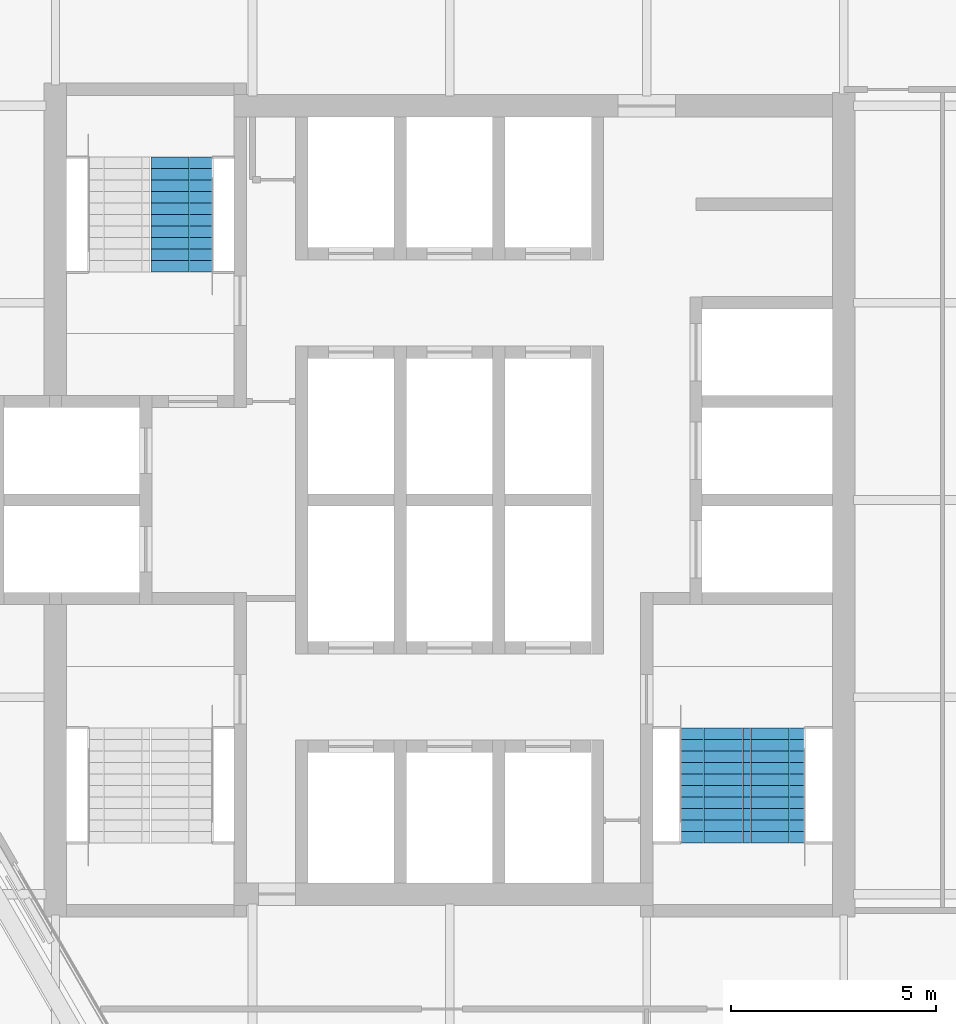
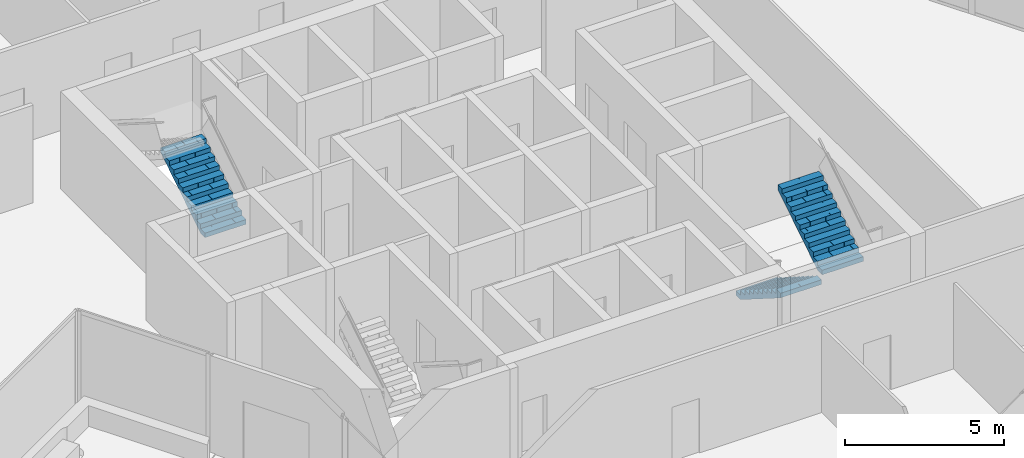
# One storey, part 13 of 15: 3 stair flights, 2 elements without a shape of their own.
"""IFC4 building model written with IfcOpenShell, lengths in metres."""

from ifc_helpers import new_model, si_unit, direction, frame, origin, place, context, subcontext, project, spatial, polyline, outline, extrude, material, type_object, element, aggregate, save


model = new_model("IFC4")

# Units and contexts
model_context = context("Model", 3, precision=1e-05, world=origin(), true_north=direction((0.0, 1.0)))
body_context = subcontext(model_context, "Body", "Model", "MODEL_VIEW")
ifc_project = project(units=[si_unit("LENGTHUNIT", "METRE"), si_unit("AREAUNIT", "SQUARE_METRE"), si_unit("VOLUMEUNIT", "CUBIC_METRE"), si_unit("PLANEANGLEUNIT", "RADIAN"), si_unit("MASSUNIT", "GRAM", prefix="KILO")], contexts=[model_context])

# Site, building, storey
site_placement = place(None, origin())
site = spatial("IfcSite", under=ifc_project, at=site_placement, CompositionType="ELEMENT")
building_placement = place(site_placement, origin())
building = spatial("IfcBuilding", under=site, at=building_placement, Name="Kolab Exchange Tower", CompositionType="ELEMENT")
storey_placement = place(building_placement, frame((0.0, 0.0, 238.39990234375)))
storey = spatial("IfcBuildingStorey", under=building, at=storey_placement, Name="L52", CompositionType="ELEMENT", Elevation=238.39990234375)

# Stair, stair flight
ifc_material = material(Name="Concrete C50/60", Category="concrete")
stair_type_1 = type_object("IfcStairType", Name="STAIR ST1 RISER 177.3", PredefinedType="HALF_TURN_STAIR", material=ifc_material)
stair_1_placement = place(storey_placement, origin())
stair_1 = element("IfcStair", 1, at=stair_1_placement, inside=storey, type_object=stair_type_1, Name="Stair 1", PredefinedType="HALF_TURN_STAIR")
stair_flight_type = type_object("IfcStairFlightType", Name="STAIR FLIGHT 1500 RISER 177.3", PredefinedType="STRAIGHT", material=ifc_material)
stair_flight_1_placement = place(storey_placement, frame((-6.527587890625, 5.550048828125, 0.0), z_axis=(0.0, 0.0, 1.0), x_axis=(0.0, 1.0, 0.0)))
stair_flight_1 = element("IfcStairFlight", 2, at=stair_flight_1_placement, type_object=stair_flight_type, Name="ST1 flight 1", NumberOfRisers=11, NumberOfTreads=10, PredefinedType="STRAIGHT", RiserHeight=0.177272727, TreadLength=0.28, context=body_context, shape_type="SweptSolid", body=[
    extrude(outline(polyline([(0.0, 0.0), (0.0, 0.17724609375), (0.280029296875, 0.17724609375), (0.280029296875, 0.3544921875), (0.56005859375, 0.3544921875), (0.56005859375, 0.53173828125), (0.840087890625, 0.53173828125), (0.840087890625, 0.708984375), (1.1201171875, 0.708984375), (1.1201171875, 0.886474609375), (1.39990234375, 0.886474609375), (1.39990234375, 1.063720703125), (1.679931640625, 1.063720703125), (1.679931640625, 1.240966796875), (1.9599609375, 1.240966796875), (1.9599609375, 1.418212890625), (2.239990234375, 1.418212890625), (2.239990234375, 1.595458984375), (2.52001953125, 1.595458984375), (2.52001953125, 1.772705078125), (2.800048828125, 1.772705078125), (2.800048828125, 1.949951171875), (2.800048828125, 1.59521484375), (0.2802734375, 0.0), (0.0, 0.0)])), frame((0.0, 0.75, 0.0), z_axis=(0.0, -1.0, 0.0), x_axis=(1.0, 0.0, 0.0)), (0.0, 0.0, 1.0), 0.185791015625),
    extrude(outline(polyline([(0.0, 0.0), (0.0, 0.17724609375), (0.280029296875, 0.17724609375), (0.280029296875, 0.3544921875), (0.56005859375, 0.3544921875), (0.56005859375, 0.53173828125), (0.840087890625, 0.53173828125), (0.840087890625, 0.708984375), (1.1201171875, 0.708984375), (1.1201171875, 0.886474609375), (1.39990234375, 0.886474609375), (1.39990234375, 1.063720703125), (1.679931640625, 1.063720703125), (1.679931640625, 1.240966796875), (1.9599609375, 1.240966796875), (1.9599609375, 1.418212890625), (2.239990234375, 1.418212890625), (2.239990234375, 1.595458984375), (2.52001953125, 1.595458984375), (2.52001953125, 1.772705078125), (2.800048828125, 1.772705078125), (2.800048828125, 1.949951171875), (2.800048828125, 1.59521484375), (0.2802734375, 0.0), (0.0, 0.0)])), frame((0.0, 0.562255859375, 0.0), z_axis=(0.0, -1.0, 0.0), x_axis=(1.0, 0.0, 0.0)), (0.0, 0.0, 1.0), 0.185791015625),
    extrude(outline(polyline([(0.0, 0.0), (0.0, 0.17724609375), (0.280029296875, 0.17724609375), (0.280029296875, 0.3544921875), (0.56005859375, 0.3544921875), (0.56005859375, 0.53173828125), (0.840087890625, 0.53173828125), (0.840087890625, 0.708984375), (1.1201171875, 0.708984375), (1.1201171875, 0.886474609375), (1.39990234375, 0.886474609375), (1.39990234375, 1.063720703125), (1.679931640625, 1.063720703125), (1.679931640625, 1.240966796875), (1.9599609375, 1.240966796875), (1.9599609375, 1.418212890625), (2.239990234375, 1.418212890625), (2.239990234375, 1.595458984375), (2.52001953125, 1.595458984375), (2.52001953125, 1.772705078125), (2.800048828125, 1.772705078125), (2.800048828125, 1.949951171875), (2.800048828125, 1.59521484375), (0.2802734375, 0.0), (0.0, 0.0)])), frame((0.0, 0.37451171875, 0.0), z_axis=(0.0, -1.0, 0.0), x_axis=(1.0, 0.0, 0.0)), (0.0, 0.0, 1.0), 0.185791015625),
    extrude(outline(polyline([(0.0, 0.0), (0.0, 0.17724609375), (0.280029296875, 0.17724609375), (0.280029296875, 0.3544921875), (0.56005859375, 0.3544921875), (0.56005859375, 0.53173828125), (0.840087890625, 0.53173828125), (0.840087890625, 0.708984375), (1.1201171875, 0.708984375), (1.1201171875, 0.886474609375), (1.39990234375, 0.886474609375), (1.39990234375, 1.063720703125), (1.679931640625, 1.063720703125), (1.679931640625, 1.240966796875), (1.9599609375, 1.240966796875), (1.9599609375, 1.418212890625), (2.239990234375, 1.418212890625), (2.239990234375, 1.595458984375), (2.52001953125, 1.595458984375), (2.52001953125, 1.772705078125), (2.800048828125, 1.772705078125), (2.800048828125, 1.949951171875), (2.800048828125, 1.59521484375), (0.2802734375, 0.0), (0.0, 0.0)])), frame((0.0, 0.186767578125, 0.0), z_axis=(0.0, -1.0, 0.0), x_axis=(1.0, 0.0, 0.0)), (0.0, 0.0, 1.0), 0.185791015625),
    extrude(outline(polyline([(0.0, 0.0), (0.0, 0.17724609375), (0.280029296875, 0.17724609375), (0.280029296875, 0.3544921875), (0.56005859375, 0.3544921875), (0.56005859375, 0.53173828125), (0.840087890625, 0.53173828125), (0.840087890625, 0.708984375), (1.1201171875, 0.708984375), (1.1201171875, 0.886474609375), (1.39990234375, 0.886474609375), (1.39990234375, 1.063720703125), (1.679931640625, 1.063720703125), (1.679931640625, 1.240966796875), (1.9599609375, 1.240966796875), (1.9599609375, 1.418212890625), (2.239990234375, 1.418212890625), (2.239990234375, 1.595458984375), (2.52001953125, 1.595458984375), (2.52001953125, 1.772705078125), (2.800048828125, 1.772705078125), (2.800048828125, 1.949951171875), (2.800048828125, 1.59521484375), (0.2802734375, 0.0), (0.0, 0.0)])), frame((0.0, -0.0009765625, 0.0), z_axis=(0.0, -1.0, 0.0), x_axis=(1.0, 0.0, 0.0)), (0.0, 0.0, 1.0), 0.185791015625),
    extrude(outline(polyline([(0.0, 0.0), (0.0, 0.17724609375), (0.280029296875, 0.17724609375), (0.280029296875, 0.3544921875), (0.56005859375, 0.3544921875), (0.56005859375, 0.53173828125), (0.840087890625, 0.53173828125), (0.840087890625, 0.708984375), (1.1201171875, 0.708984375), (1.1201171875, 0.886474609375), (1.39990234375, 0.886474609375), (1.39990234375, 1.063720703125), (1.679931640625, 1.063720703125), (1.679931640625, 1.240966796875), (1.9599609375, 1.240966796875), (1.9599609375, 1.418212890625), (2.239990234375, 1.418212890625), (2.239990234375, 1.595458984375), (2.52001953125, 1.595458984375), (2.52001953125, 1.772705078125), (2.800048828125, 1.772705078125), (2.800048828125, 1.949951171875), (2.800048828125, 1.59521484375), (0.2802734375, 0.0), (0.0, 0.0)])), frame((0.0, -0.188720703125, 0.0), z_axis=(0.0, -1.0, 0.0), x_axis=(1.0, 0.0, 0.0)), (0.0, 0.0, 1.0), 0.185791015625),
    extrude(outline(polyline([(0.0, 0.0), (0.0, 0.17724609375), (0.280029296875, 0.17724609375), (0.280029296875, 0.3544921875), (0.56005859375, 0.3544921875), (0.56005859375, 0.53173828125), (0.840087890625, 0.53173828125), (0.840087890625, 0.708984375), (1.1201171875, 0.708984375), (1.1201171875, 0.886474609375), (1.39990234375, 0.886474609375), (1.39990234375, 1.063720703125), (1.679931640625, 1.063720703125), (1.679931640625, 1.240966796875), (1.9599609375, 1.240966796875), (1.9599609375, 1.418212890625), (2.239990234375, 1.418212890625), (2.239990234375, 1.595458984375), (2.52001953125, 1.595458984375), (2.52001953125, 1.772705078125), (2.800048828125, 1.772705078125), (2.800048828125, 1.949951171875), (2.800048828125, 1.59521484375), (0.2802734375, 0.0), (0.0, 0.0)])), frame((0.0, -0.37646484375, 0.0), z_axis=(0.0, -1.0, 0.0), x_axis=(1.0, 0.0, 0.0)), (0.0, 0.0, 1.0), 0.185791015625),
    extrude(outline(polyline([(0.0, 0.0), (0.0, 0.17724609375), (0.280029296875, 0.17724609375), (0.280029296875, 0.3544921875), (0.56005859375, 0.3544921875), (0.56005859375, 0.53173828125), (0.840087890625, 0.53173828125), (0.840087890625, 0.708984375), (1.1201171875, 0.708984375), (1.1201171875, 0.886474609375), (1.39990234375, 0.886474609375), (1.39990234375, 1.063720703125), (1.679931640625, 1.063720703125), (1.679931640625, 1.240966796875), (1.9599609375, 1.240966796875), (1.9599609375, 1.418212890625), (2.239990234375, 1.418212890625), (2.239990234375, 1.595458984375), (2.52001953125, 1.595458984375), (2.52001953125, 1.772705078125), (2.800048828125, 1.772705078125), (2.800048828125, 1.949951171875), (2.800048828125, 1.59521484375), (0.2802734375, 0.0), (0.0, 0.0)])), frame((0.0, -0.564208984375, 0.0), z_axis=(0.0, -1.0, 0.0), x_axis=(1.0, 0.0, 0.0)), (0.0, 0.0, 1.0), 0.185791015625),
])
aggregate(stair_1, [stair_flight_1])

# Stair, stair flights
stair_type_2 = type_object("IfcStairType", Name="STAIR ST2 RISER 177.3", PredefinedType="HALF_TURN_STAIR", material=ifc_material)
stair_2_placement = place(storey_placement, origin())
stair_2 = element("IfcStair", 3, at=stair_2_placement, inside=storey, type_object=stair_type_2, Name="Stair 2", PredefinedType="HALF_TURN_STAIR")
stair_flight_2_placement = place(storey_placement, frame((6.37744140625, -5.550048828125, 0.0), z_axis=(0.0, 0.0, 1.0), x_axis=(0.0, -1.0, 0.0)))
stair_flight_2 = element("IfcStairFlight", 4, at=stair_flight_2_placement, type_object=stair_flight_type, Name="ST2 flight 1", NumberOfRisers=11, NumberOfTreads=10, PredefinedType="STRAIGHT", RiserHeight=0.177272727, TreadLength=0.28, context=body_context, shape_type="SweptSolid", body=[
    extrude(outline(polyline([(0.0, 0.0), (0.0, 0.17724609375), (0.280029296875, 0.17724609375), (0.280029296875, 0.3544921875), (0.56005859375, 0.3544921875), (0.56005859375, 0.53173828125), (0.840087890625, 0.53173828125), (0.840087890625, 0.708984375), (1.1201171875, 0.708984375), (1.1201171875, 0.886474609375), (1.39990234375, 0.886474609375), (1.39990234375, 1.063720703125), (1.679931640625, 1.063720703125), (1.679931640625, 1.240966796875), (1.9599609375, 1.240966796875), (1.9599609375, 1.418212890625), (2.239990234375, 1.418212890625), (2.239990234375, 1.595458984375), (2.52001953125, 1.595458984375), (2.52001953125, 1.772705078125), (2.800048828125, 1.772705078125), (2.800048828125, 1.949951171875), (2.800048828125, 1.59521484375), (0.2802734375, 0.0), (0.0, 0.0)])), frame((0.0, 0.75, 0.0), z_axis=(0.0, -1.0, 0.0), x_axis=(1.0, 0.0, 0.0)), (0.0, 0.0, 1.0), 0.185791015625),
    extrude(outline(polyline([(0.0, 0.0), (0.0, 0.17724609375), (0.280029296875, 0.17724609375), (0.280029296875, 0.3544921875), (0.56005859375, 0.3544921875), (0.56005859375, 0.53173828125), (0.840087890625, 0.53173828125), (0.840087890625, 0.708984375), (1.1201171875, 0.708984375), (1.1201171875, 0.886474609375), (1.39990234375, 0.886474609375), (1.39990234375, 1.063720703125), (1.679931640625, 1.063720703125), (1.679931640625, 1.240966796875), (1.9599609375, 1.240966796875), (1.9599609375, 1.418212890625), (2.239990234375, 1.418212890625), (2.239990234375, 1.595458984375), (2.52001953125, 1.595458984375), (2.52001953125, 1.772705078125), (2.800048828125, 1.772705078125), (2.800048828125, 1.949951171875), (2.800048828125, 1.59521484375), (0.2802734375, 0.0), (0.0, 0.0)])), frame((0.0, 0.562255859375, 0.0), z_axis=(0.0, -1.0, 0.0), x_axis=(1.0, 0.0, 0.0)), (0.0, 0.0, 1.0), 0.185791015625),
    extrude(outline(polyline([(0.0, 0.0), (0.0, 0.17724609375), (0.280029296875, 0.17724609375), (0.280029296875, 0.3544921875), (0.56005859375, 0.3544921875), (0.56005859375, 0.53173828125), (0.840087890625, 0.53173828125), (0.840087890625, 0.708984375), (1.1201171875, 0.708984375), (1.1201171875, 0.886474609375), (1.39990234375, 0.886474609375), (1.39990234375, 1.063720703125), (1.679931640625, 1.063720703125), (1.679931640625, 1.240966796875), (1.9599609375, 1.240966796875), (1.9599609375, 1.418212890625), (2.239990234375, 1.418212890625), (2.239990234375, 1.595458984375), (2.52001953125, 1.595458984375), (2.52001953125, 1.772705078125), (2.800048828125, 1.772705078125), (2.800048828125, 1.949951171875), (2.800048828125, 1.59521484375), (0.2802734375, 0.0), (0.0, 0.0)])), frame((0.0, 0.37451171875, 0.0), z_axis=(0.0, -1.0, 0.0), x_axis=(1.0, 0.0, 0.0)), (0.0, 0.0, 1.0), 0.185791015625),
    extrude(outline(polyline([(0.0, 0.0), (0.0, 0.17724609375), (0.280029296875, 0.17724609375), (0.280029296875, 0.3544921875), (0.56005859375, 0.3544921875), (0.56005859375, 0.53173828125), (0.840087890625, 0.53173828125), (0.840087890625, 0.708984375), (1.1201171875, 0.708984375), (1.1201171875, 0.886474609375), (1.39990234375, 0.886474609375), (1.39990234375, 1.063720703125), (1.679931640625, 1.063720703125), (1.679931640625, 1.240966796875), (1.9599609375, 1.240966796875), (1.9599609375, 1.418212890625), (2.239990234375, 1.418212890625), (2.239990234375, 1.595458984375), (2.52001953125, 1.595458984375), (2.52001953125, 1.772705078125), (2.800048828125, 1.772705078125), (2.800048828125, 1.949951171875), (2.800048828125, 1.59521484375), (0.2802734375, 0.0), (0.0, 0.0)])), frame((0.0, 0.186767578125, 0.0), z_axis=(0.0, -1.0, 0.0), x_axis=(1.0, 0.0, 0.0)), (0.0, 0.0, 1.0), 0.185791015625),
    extrude(outline(polyline([(0.0, 0.0), (0.0, 0.17724609375), (0.280029296875, 0.17724609375), (0.280029296875, 0.3544921875), (0.56005859375, 0.3544921875), (0.56005859375, 0.53173828125), (0.840087890625, 0.53173828125), (0.840087890625, 0.708984375), (1.1201171875, 0.708984375), (1.1201171875, 0.886474609375), (1.39990234375, 0.886474609375), (1.39990234375, 1.063720703125), (1.679931640625, 1.063720703125), (1.679931640625, 1.240966796875), (1.9599609375, 1.240966796875), (1.9599609375, 1.418212890625), (2.239990234375, 1.418212890625), (2.239990234375, 1.595458984375), (2.52001953125, 1.595458984375), (2.52001953125, 1.772705078125), (2.800048828125, 1.772705078125), (2.800048828125, 1.949951171875), (2.800048828125, 1.59521484375), (0.2802734375, 0.0), (0.0, 0.0)])), frame((0.0, -0.0009765625, 0.0), z_axis=(0.0, -1.0, 0.0), x_axis=(1.0, 0.0, 0.0)), (0.0, 0.0, 1.0), 0.185791015625),
    extrude(outline(polyline([(0.0, 0.0), (0.0, 0.17724609375), (0.280029296875, 0.17724609375), (0.280029296875, 0.3544921875), (0.56005859375, 0.3544921875), (0.56005859375, 0.53173828125), (0.840087890625, 0.53173828125), (0.840087890625, 0.708984375), (1.1201171875, 0.708984375), (1.1201171875, 0.886474609375), (1.39990234375, 0.886474609375), (1.39990234375, 1.063720703125), (1.679931640625, 1.063720703125), (1.679931640625, 1.240966796875), (1.9599609375, 1.240966796875), (1.9599609375, 1.418212890625), (2.239990234375, 1.418212890625), (2.239990234375, 1.595458984375), (2.52001953125, 1.595458984375), (2.52001953125, 1.772705078125), (2.800048828125, 1.772705078125), (2.800048828125, 1.949951171875), (2.800048828125, 1.59521484375), (0.2802734375, 0.0), (0.0, 0.0)])), frame((0.0, -0.188720703125, 0.0), z_axis=(0.0, -1.0, 0.0), x_axis=(1.0, 0.0, 0.0)), (0.0, 0.0, 1.0), 0.185791015625),
    extrude(outline(polyline([(0.0, 0.0), (0.0, 0.17724609375), (0.280029296875, 0.17724609375), (0.280029296875, 0.3544921875), (0.56005859375, 0.3544921875), (0.56005859375, 0.53173828125), (0.840087890625, 0.53173828125), (0.840087890625, 0.708984375), (1.1201171875, 0.708984375), (1.1201171875, 0.886474609375), (1.39990234375, 0.886474609375), (1.39990234375, 1.063720703125), (1.679931640625, 1.063720703125), (1.679931640625, 1.240966796875), (1.9599609375, 1.240966796875), (1.9599609375, 1.418212890625), (2.239990234375, 1.418212890625), (2.239990234375, 1.595458984375), (2.52001953125, 1.595458984375), (2.52001953125, 1.772705078125), (2.800048828125, 1.772705078125), (2.800048828125, 1.949951171875), (2.800048828125, 1.59521484375), (0.2802734375, 0.0), (0.0, 0.0)])), frame((0.0, -0.37646484375, 0.0), z_axis=(0.0, -1.0, 0.0), x_axis=(1.0, 0.0, 0.0)), (0.0, 0.0, 1.0), 0.185791015625),
    extrude(outline(polyline([(0.0, 0.0), (0.0, 0.17724609375), (0.280029296875, 0.17724609375), (0.280029296875, 0.3544921875), (0.56005859375, 0.3544921875), (0.56005859375, 0.53173828125), (0.840087890625, 0.53173828125), (0.840087890625, 0.708984375), (1.1201171875, 0.708984375), (1.1201171875, 0.886474609375), (1.39990234375, 0.886474609375), (1.39990234375, 1.063720703125), (1.679931640625, 1.063720703125), (1.679931640625, 1.240966796875), (1.9599609375, 1.240966796875), (1.9599609375, 1.418212890625), (2.239990234375, 1.418212890625), (2.239990234375, 1.595458984375), (2.52001953125, 1.595458984375), (2.52001953125, 1.772705078125), (2.800048828125, 1.772705078125), (2.800048828125, 1.949951171875), (2.800048828125, 1.59521484375), (0.2802734375, 0.0), (0.0, 0.0)])), frame((0.0, -0.564208984375, 0.0), z_axis=(0.0, -1.0, 0.0), x_axis=(1.0, 0.0, 0.0)), (0.0, 0.0, 1.0), 0.185791015625),
])
stair_flight_3_placement = place(storey_placement, frame((7.8974609375, -8.35009765625, 1.9501953125), z_axis=(0.0, 0.0, 1.0), x_axis=(0.0, 1.0, 0.0)))
stair_flight_3 = element("IfcStairFlight", 5, at=stair_flight_3_placement, type_object=stair_flight_type, Name="ST2 flight 2", NumberOfRisers=11, NumberOfTreads=10, PredefinedType="STRAIGHT", RiserHeight=0.177272727, TreadLength=0.28, context=body_context, shape_type="SweptSolid", body=[
    extrude(outline(polyline([(0.0, 0.0), (0.0, 0.17724609375), (0.280029296875, 0.17724609375), (0.280029296875, 0.3544921875), (0.56005859375, 0.3544921875), (0.56005859375, 0.53173828125), (0.840087890625, 0.53173828125), (0.840087890625, 0.708984375), (1.1201171875, 0.708984375), (1.1201171875, 0.886474609375), (1.39990234375, 0.886474609375), (1.39990234375, 1.063720703125), (1.679931640625, 1.063720703125), (1.679931640625, 1.240966796875), (1.9599609375, 1.240966796875), (1.9599609375, 1.418212890625), (2.239990234375, 1.418212890625), (2.239990234375, 1.595458984375), (2.52001953125, 1.595458984375), (2.52001953125, 1.772705078125), (2.800048828125, 1.772705078125), (2.800048828125, 1.949951171875), (2.800048828125, 1.59521484375), (0.2802734375, 0.0), (0.0, 0.0)])), frame((0.0, 0.75, 0.0), z_axis=(0.0, -1.0, 0.0), x_axis=(1.0, 0.0, 0.0)), (0.0, 0.0, 1.0), 0.185791015625),
    extrude(outline(polyline([(0.0, 0.0), (0.0, 0.17724609375), (0.280029296875, 0.17724609375), (0.280029296875, 0.3544921875), (0.56005859375, 0.3544921875), (0.56005859375, 0.53173828125), (0.840087890625, 0.53173828125), (0.840087890625, 0.708984375), (1.1201171875, 0.708984375), (1.1201171875, 0.886474609375), (1.39990234375, 0.886474609375), (1.39990234375, 1.063720703125), (1.679931640625, 1.063720703125), (1.679931640625, 1.240966796875), (1.9599609375, 1.240966796875), (1.9599609375, 1.418212890625), (2.239990234375, 1.418212890625), (2.239990234375, 1.595458984375), (2.52001953125, 1.595458984375), (2.52001953125, 1.772705078125), (2.800048828125, 1.772705078125), (2.800048828125, 1.949951171875), (2.800048828125, 1.59521484375), (0.2802734375, 0.0), (0.0, 0.0)])), frame((0.0, 0.562255859375, 0.0), z_axis=(0.0, -1.0, 0.0), x_axis=(1.0, 0.0, 0.0)), (0.0, 0.0, 1.0), 0.185791015625),
    extrude(outline(polyline([(0.0, 0.0), (0.0, 0.17724609375), (0.280029296875, 0.17724609375), (0.280029296875, 0.3544921875), (0.56005859375, 0.3544921875), (0.56005859375, 0.53173828125), (0.840087890625, 0.53173828125), (0.840087890625, 0.708984375), (1.1201171875, 0.708984375), (1.1201171875, 0.886474609375), (1.39990234375, 0.886474609375), (1.39990234375, 1.063720703125), (1.679931640625, 1.063720703125), (1.679931640625, 1.240966796875), (1.9599609375, 1.240966796875), (1.9599609375, 1.418212890625), (2.239990234375, 1.418212890625), (2.239990234375, 1.595458984375), (2.52001953125, 1.595458984375), (2.52001953125, 1.772705078125), (2.800048828125, 1.772705078125), (2.800048828125, 1.949951171875), (2.800048828125, 1.59521484375), (0.2802734375, 0.0), (0.0, 0.0)])), frame((0.0, 0.37451171875, 0.0), z_axis=(0.0, -1.0, 0.0), x_axis=(1.0, 0.0, 0.0)), (0.0, 0.0, 1.0), 0.185791015625),
    extrude(outline(polyline([(0.0, 0.0), (0.0, 0.17724609375), (0.280029296875, 0.17724609375), (0.280029296875, 0.3544921875), (0.56005859375, 0.3544921875), (0.56005859375, 0.53173828125), (0.840087890625, 0.53173828125), (0.840087890625, 0.708984375), (1.1201171875, 0.708984375), (1.1201171875, 0.886474609375), (1.39990234375, 0.886474609375), (1.39990234375, 1.063720703125), (1.679931640625, 1.063720703125), (1.679931640625, 1.240966796875), (1.9599609375, 1.240966796875), (1.9599609375, 1.418212890625), (2.239990234375, 1.418212890625), (2.239990234375, 1.595458984375), (2.52001953125, 1.595458984375), (2.52001953125, 1.772705078125), (2.800048828125, 1.772705078125), (2.800048828125, 1.949951171875), (2.800048828125, 1.59521484375), (0.2802734375, 0.0), (0.0, 0.0)])), frame((0.0, 0.186767578125, 0.0), z_axis=(0.0, -1.0, 0.0), x_axis=(1.0, 0.0, 0.0)), (0.0, 0.0, 1.0), 0.185791015625),
    extrude(outline(polyline([(0.0, 0.0), (0.0, 0.17724609375), (0.280029296875, 0.17724609375), (0.280029296875, 0.3544921875), (0.56005859375, 0.3544921875), (0.56005859375, 0.53173828125), (0.840087890625, 0.53173828125), (0.840087890625, 0.708984375), (1.1201171875, 0.708984375), (1.1201171875, 0.886474609375), (1.39990234375, 0.886474609375), (1.39990234375, 1.063720703125), (1.679931640625, 1.063720703125), (1.679931640625, 1.240966796875), (1.9599609375, 1.240966796875), (1.9599609375, 1.418212890625), (2.239990234375, 1.418212890625), (2.239990234375, 1.595458984375), (2.52001953125, 1.595458984375), (2.52001953125, 1.772705078125), (2.800048828125, 1.772705078125), (2.800048828125, 1.949951171875), (2.800048828125, 1.59521484375), (0.2802734375, 0.0), (0.0, 0.0)])), frame((0.0, -0.0009765625, 0.0), z_axis=(0.0, -1.0, 0.0), x_axis=(1.0, 0.0, 0.0)), (0.0, 0.0, 1.0), 0.185791015625),
    extrude(outline(polyline([(0.0, 0.0), (0.0, 0.17724609375), (0.280029296875, 0.17724609375), (0.280029296875, 0.3544921875), (0.56005859375, 0.3544921875), (0.56005859375, 0.53173828125), (0.840087890625, 0.53173828125), (0.840087890625, 0.708984375), (1.1201171875, 0.708984375), (1.1201171875, 0.886474609375), (1.39990234375, 0.886474609375), (1.39990234375, 1.063720703125), (1.679931640625, 1.063720703125), (1.679931640625, 1.240966796875), (1.9599609375, 1.240966796875), (1.9599609375, 1.418212890625), (2.239990234375, 1.418212890625), (2.239990234375, 1.595458984375), (2.52001953125, 1.595458984375), (2.52001953125, 1.772705078125), (2.800048828125, 1.772705078125), (2.800048828125, 1.949951171875), (2.800048828125, 1.59521484375), (0.2802734375, 0.0), (0.0, 0.0)])), frame((0.0, -0.188720703125, 0.0), z_axis=(0.0, -1.0, 0.0), x_axis=(1.0, 0.0, 0.0)), (0.0, 0.0, 1.0), 0.185791015625),
    extrude(outline(polyline([(0.0, 0.0), (0.0, 0.17724609375), (0.280029296875, 0.17724609375), (0.280029296875, 0.3544921875), (0.56005859375, 0.3544921875), (0.56005859375, 0.53173828125), (0.840087890625, 0.53173828125), (0.840087890625, 0.708984375), (1.1201171875, 0.708984375), (1.1201171875, 0.886474609375), (1.39990234375, 0.886474609375), (1.39990234375, 1.063720703125), (1.679931640625, 1.063720703125), (1.679931640625, 1.240966796875), (1.9599609375, 1.240966796875), (1.9599609375, 1.418212890625), (2.239990234375, 1.418212890625), (2.239990234375, 1.595458984375), (2.52001953125, 1.595458984375), (2.52001953125, 1.772705078125), (2.800048828125, 1.772705078125), (2.800048828125, 1.949951171875), (2.800048828125, 1.59521484375), (0.2802734375, 0.0), (0.0, 0.0)])), frame((0.0, -0.37646484375, 0.0), z_axis=(0.0, -1.0, 0.0), x_axis=(1.0, 0.0, 0.0)), (0.0, 0.0, 1.0), 0.185791015625),
    extrude(outline(polyline([(0.0, 0.0), (0.0, 0.17724609375), (0.280029296875, 0.17724609375), (0.280029296875, 0.3544921875), (0.56005859375, 0.3544921875), (0.56005859375, 0.53173828125), (0.840087890625, 0.53173828125), (0.840087890625, 0.708984375), (1.1201171875, 0.708984375), (1.1201171875, 0.886474609375), (1.39990234375, 0.886474609375), (1.39990234375, 1.063720703125), (1.679931640625, 1.063720703125), (1.679931640625, 1.240966796875), (1.9599609375, 1.240966796875), (1.9599609375, 1.418212890625), (2.239990234375, 1.418212890625), (2.239990234375, 1.595458984375), (2.52001953125, 1.595458984375), (2.52001953125, 1.772705078125), (2.800048828125, 1.772705078125), (2.800048828125, 1.949951171875), (2.800048828125, 1.59521484375), (0.2802734375, 0.0), (0.0, 0.0)])), frame((0.0, -0.564208984375, 0.0), z_axis=(0.0, -1.0, 0.0), x_axis=(1.0, 0.0, 0.0)), (0.0, 0.0, 1.0), 0.185791015625),
])
aggregate(stair_2, [stair_flight_2, stair_flight_3])

save(model, "model.ifc")
